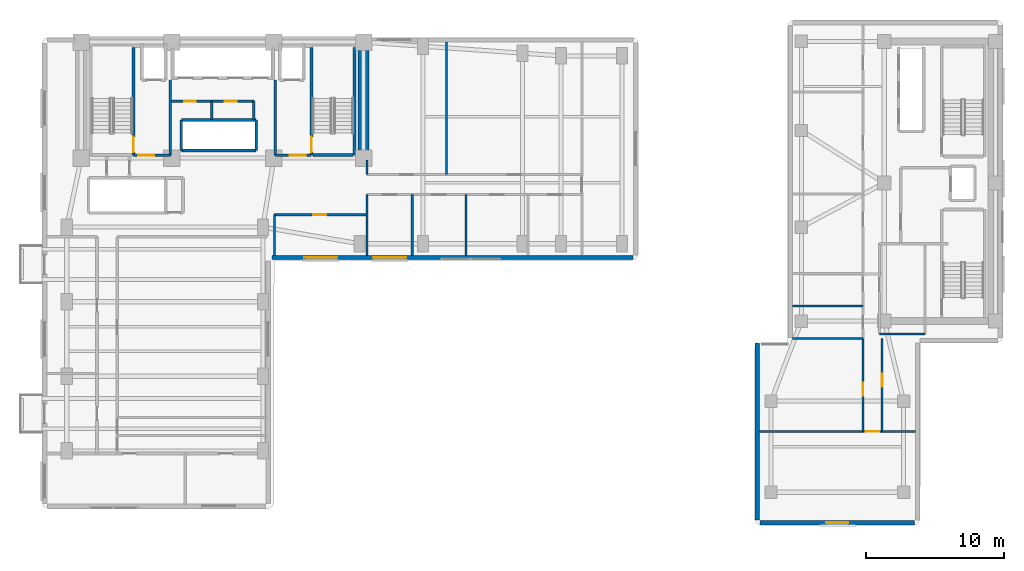
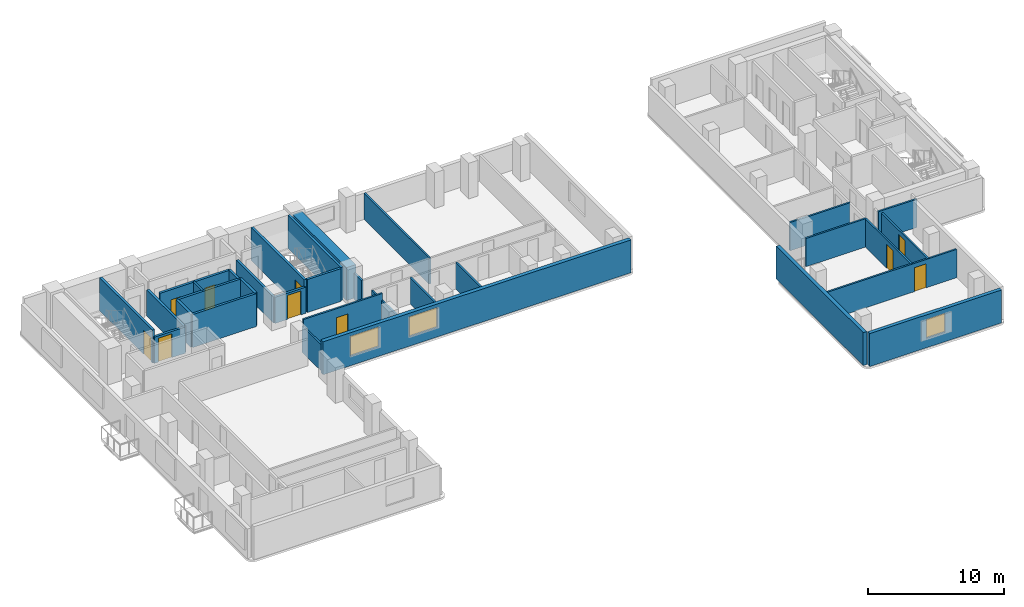
# One storey, part 9 of 15: 32 walls, 10 doors, 3 windows, 13 openings.
"""IFC4 building model written with IfcOpenShell, lengths in metres."""

from ifc_helpers import new_model, si_unit, direction, frame, frame_2d, origin, place, context, subcontext, project, spatial, rectangle, extrude, material, layer, layer_set, type_object, element, fill, save


model = new_model("IFC4")

# Units and contexts
model_context = context("Model", 3, precision=1e-05, world=origin(), true_north=direction((0.0, 1.0)))
body_context = subcontext(model_context, "Body", "Model", "MODEL_VIEW")
ifc_project = project(units=[si_unit("LENGTHUNIT", "METRE"), si_unit("AREAUNIT", "SQUARE_METRE"), si_unit("VOLUMEUNIT", "CUBIC_METRE"), si_unit("PLANEANGLEUNIT", "RADIAN"), si_unit("MASSUNIT", "GRAM", prefix="KILO")], contexts=[model_context])

# Site, building, storey
site_placement = place(None, origin())
site = spatial("IfcSite", under=ifc_project, at=site_placement, CompositionType="ELEMENT")
building_placement = place(site_placement, origin())
building = spatial("IfcBuilding", under=site, at=building_placement, Name="Kuzgunbayir Cultural Tower", CompositionType="ELEMENT")
storey_placement = place(building_placement, frame((0.0, 0.0, 72.39990234375)))
storey = spatial("IfcBuildingStorey", under=building, at=storey_placement, Name="L20", CompositionType="ELEMENT", Elevation=72.39990234375)

# Wall
ifc_material_1 = material(Name="Concrete C60/75", Category="concrete")
ifc_layer_1 = layer(ifc_material_1, 0.800048828125)
ifc_layer_set_1 = layer_set([ifc_layer_1], Name="Concrete C60/75")
wall_type_1 = type_object("IfcWallType", Name="WAL-CORE-800", PredefinedType="SHEAR", material=ifc_layer_set_1)
wall_1_placement = place(storey_placement, frame((26.89990234375, 33.800048828125, 0.0), z_axis=(0.0, 0.0, 1.0), x_axis=(0.0, 1.0, 0.0)))
element("IfcWall", 1, at=wall_1_placement, inside=storey, type_object=wall_type_1, Name="L20 T1 Core East Shear Wall", PredefinedType="SHEAR", context=body_context, shape_type="SweptSolid", body=[
    extrude(rectangle(XDim=7.949951171875, YDim=0.800048828125, at=frame_2d((3.97509765625, 0.0))), origin(), (0.0, 0.0, 1.0), 2.960205078125),
])

# Wall, opening, window
ifc_material_2 = material(Name="Anatolian Cream Limestone", Category="masonry")
ifc_layer_2 = layer(ifc_material_2, 0.300048828125)
ifc_layer_set_2 = layer_set([ifc_layer_2], Name="Anatolian Cream Limestone")
wall_type_2 = type_object("IfcWallType", Name="WAL-EXT-STONE-300", PredefinedType="STANDARD", material=ifc_layer_set_2)
wall_2_placement = place(storey_placement, frame((55.60009765625, 7.39990234375, 0.0), z_axis=(0.0, 0.0, 1.0), x_axis=(1.0, 0.0, 0.0)))
wall_2 = element("IfcWall", 2, at=wall_2_placement, inside=storey, type_object=wall_type_2, Name="L20 Companion Wing B South Wall", PredefinedType="STANDARD", context=body_context, shape_type="SweptSolid", body=[
    extrude(rectangle(XDim=11.199951171875, YDim=0.300048828125, at=frame_2d((5.60009765625, 0.0))), origin(), (0.0, 0.0, 1.0), 2.960205078125),
])
opening_1_placement = place(wall_2_placement, frame((4.800048828125, 0.0, 0.85009765625)))
opening_1 = element("IfcOpeningElement", 3, at=opening_1_placement, cuts=wall_2, Name="Opening WC-16", PredefinedType="OPENING", context=body_context, shape_type="SweptSolid", body=[
    extrude(rectangle(XDim=1.60009765625, YDim=1.699951171875, at=frame_2d((0.800048828125, 0.85009765625))), frame((0.0, 0.16015625, 0.0), z_axis=(0.0, -1.0, 0.0), x_axis=(1.0, 0.0, 0.0)), (0.0, 0.0, 1.0), 0.320068359375),
])
ifc_material_3 = material(Name="Solar-Control Triple Glazing", Category="glass")
window_type_1 = type_object("IfcWindowType", Name="WIN-COMP-16", PartitioningType="SINGLE_PANEL", PredefinedType="WINDOW", material=ifc_material_3)
window_1_placement = place(opening_1_placement, origin())
window_1 = element("IfcWindow", 4, at=window_1_placement, inside=storey, type_object=window_type_1, Name="L20 Companion South Window", OverallHeight=1.699951171875, OverallWidth=1.60009765625, PartitioningType="SINGLE_PANEL", PredefinedType="WINDOW", context=body_context, shape_type="SweptSolid", body=[
    extrude(rectangle(XDim=1.60009765625, YDim=1.699951171875, at=frame_2d((0.800048828125, 0.85009765625))), frame((0.0, 0.030029296875, 0.0), z_axis=(0.0, -1.0, 0.0), x_axis=(1.0, 0.0, 0.0)), (0.0, 0.0, 1.0), 0.06005859375),
])
fill(opening_1, window_1)

# Wall
wall_3_placement = place(storey_placement, frame((55.39990234375, 20.39990234375, 0.0), z_axis=(0.0, 0.0, 1.0), x_axis=(0.0, -1.0, 0.0)))
element("IfcWall", 5, at=wall_3_placement, inside=storey, type_object=wall_type_2, Name="L20 Companion Wing B West Wall", PredefinedType="STANDARD", context=body_context, shape_type="SweptSolid", body=[
    extrude(rectangle(XDim=12.7998046875, YDim=0.300048828125, at=frame_2d((6.39990234375, 0.0))), origin(), (0.0, 0.0, 1.0), 2.960205078125),
])

# Wall, openings, windows
ifc_material_4 = material(Name="Travertine Buff Ashlar", Category="masonry")
ifc_layer_3 = layer(ifc_material_4, 0.320068359375)
ifc_layer_set_3 = layer_set([ifc_layer_3], Name="Travertine Buff Ashlar")
wall_type_3 = type_object("IfcWallType", Name="WAL-EXT-STONE-320", PredefinedType="STANDARD", material=ifc_layer_set_3)
wall_4_placement = place(storey_placement, frame((20.25, 26.60009765625, 0.0), z_axis=(0.0, 0.0, 1.0), x_axis=(1.0, 0.0, 0.0)))
wall_4 = element("IfcWall", 6, at=wall_4_placement, inside=storey, type_object=wall_type_3, Name="L20 Wing B South Limestone Wall", PredefinedType="STANDARD", context=body_context, shape_type="SweptSolid", body=[
    extrude(rectangle(XDim=26.14990234375, YDim=0.320068359375, at=frame_2d((13.074951171875, 0.0))), origin(), (0.0, 0.0, 1.0), 2.960205078125),
])
opening_2_placement = place(wall_4_placement, frame((2.35009765625, 0.0, 0.85009765625)))
opening_2 = element("IfcOpeningElement", 7, at=opening_2_placement, cuts=wall_4, Name="Opening WO-24", PredefinedType="OPENING", context=body_context, shape_type="SweptSolid", body=[
    extrude(rectangle(XDim=2.39990234375, YDim=1.800048828125, at=frame_2d((1.199951171875, 0.89990234375))), frame((0.0, 0.169921875, 0.0), z_axis=(0.0, -1.0, 0.0), x_axis=(1.0, 0.0, 0.0)), (0.0, 0.0, 1.0), 0.340087890625),
])
opening_3_placement = place(wall_4_placement, frame((7.330078125, 0.0, 0.85009765625)))
opening_3 = element("IfcOpeningElement", 8, at=opening_3_placement, cuts=wall_4, Name="Opening WO-24", PredefinedType="OPENING", context=body_context, shape_type="SweptSolid", body=[
    extrude(rectangle(XDim=2.39990234375, YDim=1.800048828125, at=frame_2d((1.199951171875, 0.89990234375))), frame((0.0, 0.169921875, 0.0), z_axis=(0.0, -1.0, 0.0), x_axis=(1.0, 0.0, 0.0)), (0.0, 0.0, 1.0), 0.340087890625),
])
window_type_2 = type_object("IfcWindowType", Name="WIN-OFFICE-24", PartitioningType="SINGLE_PANEL", PredefinedType="WINDOW", material=ifc_material_3)
window_2_placement = place(opening_2_placement, origin())
window_2 = element("IfcWindow", 9, at=window_2_placement, inside=storey, type_object=window_type_2, Name="L20 WBS Facade Window 1", OverallHeight=1.800048828125, OverallWidth=2.39990234375, PartitioningType="SINGLE_PANEL", PredefinedType="WINDOW", context=body_context, shape_type="SweptSolid", body=[
    extrude(rectangle(XDim=2.39990234375, YDim=1.800048828125, at=frame_2d((1.199951171875, 0.89990234375))), frame((0.0, 0.030029296875, 0.0), z_axis=(0.0, -1.0, 0.0), x_axis=(1.0, 0.0, 0.0)), (0.0, 0.0, 1.0), 0.06005859375),
])
fill(opening_2, window_2)
window_3_placement = place(opening_3_placement, origin())
window_3 = element("IfcWindow", 10, at=window_3_placement, inside=storey, type_object=window_type_2, Name="L20 WBS Facade Window 3", OverallHeight=1.800048828125, OverallWidth=2.39990234375, PartitioningType="SINGLE_PANEL", PredefinedType="WINDOW", context=body_context, shape_type="SweptSolid", body=[
    extrude(rectangle(XDim=2.39990234375, YDim=1.800048828125, at=frame_2d((1.199951171875, 0.89990234375))), frame((0.0, 0.030029296875, 0.0), z_axis=(0.0, -1.0, 0.0), x_axis=(1.0, 0.0, 0.0)), (0.0, 0.0, 1.0), 0.06005859375),
])
fill(opening_3, window_3)

# Wall
ifc_material_5 = material(Name="Acoustic Double-Stud Drywall", Category="gypsum")
ifc_layer_4 = layer(ifc_material_5, 0.14990234375)
ifc_layer_set_4 = layer_set([ifc_layer_4], Name="Acoustic Double-Stud Drywall")
wall_type_4 = type_object("IfcWallType", Name="WAL-PART-ACOUSTIC-150", PredefinedType="PARTITIONING", material=ifc_layer_set_4)
wall_5_placement = place(storey_placement, frame((15.89990234375, 36.60009765625, 0.0), z_axis=(0.0, 0.0, 1.0), x_axis=(0.0, 1.0, 0.0)))
element("IfcWall", 11, at=wall_5_placement, inside=storey, type_object=wall_type_4, Name="L20 Core Closets Divider", PredefinedType="PARTITIONING", context=body_context, shape_type="SweptSolid", body=[
    extrude(rectangle(XDim=1.31982421875, YDim=0.14990234375, at=frame_2d((0.659912109375, 0.0))), origin(), (0.0, 0.0, 1.0), 2.960205078125),
])

# Wall, opening, door
wall_6_placement = place(storey_placement, frame((20.449951171875, 29.699951171875, 0.0), z_axis=(0.0, 0.0, 1.0), x_axis=(1.0, 0.0, 0.0)))
wall_6 = element("IfcWall", 12, at=wall_6_placement, inside=storey, type_object=wall_type_4, Name="L20 Waist Alcove North Wall", PredefinedType="PARTITIONING", context=body_context, shape_type="SweptSolid", body=[
    extrude(rectangle(XDim=6.699951171875, YDim=0.14990234375, at=frame_2d((3.35009765625, 0.0))), origin(), (0.0, 0.0, 1.0), 2.960205078125),
])
opening_4_placement = place(wall_6_placement, frame((2.800048828125, 0.0, 0.0)))
opening_4 = element("IfcOpeningElement", 13, at=opening_4_placement, cuts=wall_6, Name="Opening DI-90", PredefinedType="OPENING", context=body_context, shape_type="SweptSolid", body=[
    extrude(rectangle(XDim=0.949951171875, YDim=2.14990234375, at=frame_2d((0.47509765625, 1.074951171875))), frame((0.0, 0.0849609375, 0.0), z_axis=(0.0, -1.0, 0.0), x_axis=(1.0, 0.0, 0.0)), (0.0, 0.0, 1.0), 0.169921875),
])
ifc_material_6 = material(Name="Veneered Oak Single Leaf", Category="wood")
door_type_1 = type_object("IfcDoorType", Name="DR-INT-90", OperationType="NOTDEFINED", PredefinedType="DOOR", material=ifc_material_6)
door_1_placement = place(opening_4_placement, origin())
door_1 = element("IfcDoor", 14, at=door_1_placement, inside=storey, type_object=door_type_1, Name="L20 Waist Alcove Door", OperationType="SINGLE_SWING_LEFT", OverallHeight=2.14990234375, OverallWidth=0.949951171875, PredefinedType="DOOR", context=body_context, shape_type="SweptSolid", body=[
    extrude(rectangle(XDim=0.949951171875, YDim=2.14990234375, at=frame_2d((0.47509765625, 1.074951171875))), frame((0.0, 0.02490234375, 0.0), z_axis=(0.0, -1.0, 0.0), x_axis=(1.0, 0.0, 0.0)), (0.0, 0.0, 1.0), 0.050048828125),
])
fill(opening_4, door_1)

# Walls
wall_7_placement = place(storey_placement, frame((20.449951171875, 26.75, 0.0), z_axis=(0.0, 0.0, 1.0), x_axis=(0.0, 1.0, 0.0)))
element("IfcWall", 15, at=wall_7_placement, inside=storey, type_object=wall_type_4, Name="L20 Waist Alcove West Wall", PredefinedType="PARTITIONING", context=body_context, shape_type="SweptSolid", body=[
    extrude(rectangle(XDim=2.949951171875, YDim=0.14990234375, at=frame_2d((1.47509765625, 0.0))), origin(), (0.0, 0.0, 1.0), 2.35009765625),
])
wall_8_placement = place(storey_placement, frame((27.14990234375, 26.75, 0.0), z_axis=(0.0, 0.0, 1.0), x_axis=(0.0, 1.0, 0.0)))
element("IfcWall", 16, at=wall_8_placement, inside=storey, type_object=wall_type_4, Name="L20 Waist Alcove East Wall", PredefinedType="PARTITIONING", context=body_context, shape_type="SweptSolid", body=[
    extrude(rectangle(XDim=4.39990234375, YDim=0.14990234375, at=frame_2d((2.199951171875, 0.0))), origin(), (0.0, 0.0, 1.0), 2.35009765625),
])
wall_9_placement = place(storey_placement, frame((27.14990234375, 32.60009765625, 0.0), z_axis=(0.0, 0.0, 1.0), x_axis=(0.0, 1.0, 0.0)))
element("IfcWall", 17, at=wall_9_placement, inside=storey, type_object=wall_type_4, Name="L20 Wing B North Core Closure Wall", PredefinedType="PARTITIONING", context=body_context, shape_type="SweptSolid", body=[
    extrude(rectangle(XDim=1.079833984375, YDim=0.14990234375, at=frame_2d((0.5400390625, 0.0))), origin(), (0.0, 0.0, 1.0), 2.35009765625),
])
for number, where, z_axis, x_axis, name in (
    (18, (30.419921875, 26.75, 0.0), (0.0, 0.0, 1.0), (0.0, 1.0, 0.0), "L20 Wing B South Partition 1"),
    (19, (34.300048828125, 26.75, 0.0), (0.0, 0.0, 1.0), (0.0, 1.0, 0.0), "L20 Wing B South Partition 2"),
):
    element("IfcWall", number, at=place(storey_placement, frame(where, z_axis=z_axis, x_axis=x_axis)), inside=storey, type_object=wall_type_4, Name=name, PredefinedType="PARTITIONING", context=body_context, shape_type="SweptSolid", body=[
        extrude(rectangle(XDim=4.39990234375, YDim=0.14990234375, at=frame_2d((2.199951171875, 0.0))), origin(), (0.0, 0.0, 1.0), 2.35009765625),
    ])
wall_10_placement = place(storey_placement, frame((32.89990234375, 32.60009765625, 0.0), z_axis=(0.0, 0.0, 1.0), x_axis=(0.0, 1.0, 0.0)))
element("IfcWall", 20, at=wall_10_placement, inside=storey, type_object=wall_type_4, Name="L20 Wing B North Partition 1", PredefinedType="PARTITIONING", context=body_context, shape_type="SweptSolid", body=[
    extrude(rectangle(XDim=9.599853515625, YDim=0.14990234375, at=frame_2d((4.7998046875, 0.0))), origin(), (0.0, 0.0, 1.0), 2.35009765625),
])
wall_11_placement = place(storey_placement, frame((64.25, 21.050048828125, 0.0), z_axis=(0.0, 0.0, 1.0), x_axis=(1.0, 0.0, 0.0)))
element("IfcWall", 21, at=wall_11_placement, inside=storey, type_object=wall_type_4, Name="L20 Companion Archive South Wall", PredefinedType="PARTITIONING", context=body_context, shape_type="SweptSolid", body=[
    extrude(rectangle(XDim=3.300048828125, YDim=0.14990234375, at=frame_2d((1.64990234375, 0.0))), origin(), (0.0, 0.0, 1.0), 2.5400390625),
])

# Wall, opening, door
wall_12_placement = place(storey_placement, frame((63.050048828125, 14.0, 0.0), z_axis=(0.0, 0.0, 1.0), x_axis=(0.0, 1.0, 0.0)))
wall_12 = element("IfcWall", 22, at=wall_12_placement, inside=storey, type_object=wall_type_4, Name="L20 Companion South Corridor West Wall", PredefinedType="PARTITIONING", context=body_context, shape_type="SweptSolid", body=[
    extrude(rectangle(XDim=6.75, YDim=0.14990234375, at=frame_2d((3.375, 0.0))), origin(), (0.0, 0.0, 1.0), 2.5400390625),
])
opening_5_placement = place(wall_12_placement, frame((2.60009765625, 0.0, 0.0)))
opening_5 = element("IfcOpeningElement", 23, at=opening_5_placement, cuts=wall_12, Name="Opening DI-90", PredefinedType="OPENING", context=body_context, shape_type="SweptSolid", body=[
    extrude(rectangle(XDim=0.949951171875, YDim=2.14990234375, at=frame_2d((0.47509765625, 1.074951171875))), frame((0.0, 0.0849609375, 0.0), z_axis=(0.0, -1.0, 0.0), x_axis=(1.0, 0.0, 0.0)), (0.0, 0.0, 1.0), 0.169921875),
])
door_2_placement = place(opening_5_placement, origin())
door_2 = element("IfcDoor", 24, at=door_2_placement, inside=storey, type_object=door_type_1, Name="L20 Companion West Atelier Door", OperationType="SINGLE_SWING_RIGHT", OverallHeight=2.14990234375, OverallWidth=0.949951171875, PredefinedType="DOOR", context=body_context, shape_type="SweptSolid", body=[
    extrude(rectangle(XDim=0.949951171875, YDim=2.14990234375, at=frame_2d((0.47509765625, 1.074951171875))), frame((0.0, 0.02490234375, 0.0), z_axis=(0.0, -1.0, 0.0), x_axis=(1.0, 0.0, 0.0)), (0.0, 0.0, 1.0), 0.050048828125),
])
fill(opening_5, door_2)

wall_13_placement = place(storey_placement, frame((55.550048828125, 14.0, 0.0), z_axis=(0.0, 0.0, 1.0), x_axis=(1.0, 0.0, 0.0)))
wall_13 = element("IfcWall", 25, at=wall_13_placement, inside=storey, type_object=wall_type_4, Name="L20 Companion South Gallery Wall", PredefinedType="PARTITIONING", context=body_context, shape_type="SweptSolid", body=[
    extrude(rectangle(XDim=11.300048828125, YDim=0.14990234375, at=frame_2d((5.64990234375, 0.0))), origin(), (0.0, 0.0, 1.0), 2.5400390625),
])
opening_6_placement = place(wall_13_placement, frame((7.699951171875, 0.0, 0.0)))
opening_6 = element("IfcOpeningElement", 26, at=opening_6_placement, cuts=wall_13, Name="Opening DI-100", PredefinedType="OPENING", context=body_context, shape_type="SweptSolid", body=[
    extrude(rectangle(XDim=1.0, YDim=2.14990234375, at=frame_2d((0.5, 1.074951171875))), frame((0.0, 0.0849609375, 0.0), z_axis=(0.0, -1.0, 0.0), x_axis=(1.0, 0.0, 0.0)), (0.0, 0.0, 1.0), 0.169921875),
])
door_type_2 = type_object("IfcDoorType", Name="DR-INT-100", OperationType="NOTDEFINED", PredefinedType="DOOR", material=ifc_material_6)
door_3_placement = place(opening_6_placement, origin())
door_3 = element("IfcDoor", 27, at=door_3_placement, inside=storey, type_object=door_type_2, Name="L20 Companion South Salon Door", OperationType="SINGLE_SWING_RIGHT", OverallHeight=2.14990234375, OverallWidth=1.0, PredefinedType="DOOR", context=body_context, shape_type="SweptSolid", body=[
    extrude(rectangle(XDim=1.0, YDim=2.14990234375, at=frame_2d((0.5, 1.074951171875))), frame((0.0, 0.02490234375, 0.0), z_axis=(0.0, -1.0, 0.0), x_axis=(1.0, 0.0, 0.0)), (0.0, 0.0, 1.0), 0.050048828125),
])
fill(opening_6, door_3)

wall_14_placement = place(storey_placement, frame((64.449951171875, 14.0, 0.0), z_axis=(0.0, 0.0, 1.0), x_axis=(0.0, 1.0, 0.0)))
wall_14 = element("IfcWall", 28, at=wall_14_placement, inside=storey, type_object=wall_type_4, Name="L20 Companion South Corridor East Wall", PredefinedType="PARTITIONING", context=body_context, shape_type="SweptSolid", body=[
    extrude(rectangle(XDim=6.75, YDim=0.14990234375, at=frame_2d((3.375, 0.0))), origin(), (0.0, 0.0, 1.0), 2.5400390625),
])
opening_7_placement = place(wall_14_placement, frame((3.239990234375, 0.0, 0.0)))
opening_7 = element("IfcOpeningElement", 29, at=opening_7_placement, cuts=wall_14, Name="Opening DI-90", PredefinedType="OPENING", context=body_context, shape_type="SweptSolid", body=[
    extrude(rectangle(XDim=0.949951171875, YDim=2.14990234375, at=frame_2d((0.47509765625, 1.074951171875))), frame((0.0, 0.0849609375, 0.0), z_axis=(0.0, -1.0, 0.0), x_axis=(1.0, 0.0, 0.0)), (0.0, 0.0, 1.0), 0.169921875),
])
door_4_placement = place(opening_7_placement, origin())
door_4 = element("IfcDoor", 30, at=door_4_placement, inside=storey, type_object=door_type_1, Name="L20 Companion East Studio Door", OperationType="SINGLE_SWING_LEFT", OverallHeight=2.14990234375, OverallWidth=0.949951171875, PredefinedType="DOOR", context=body_context, shape_type="SweptSolid", body=[
    extrude(rectangle(XDim=0.949951171875, YDim=2.14990234375, at=frame_2d((0.47509765625, 1.074951171875))), frame((0.0, 0.02490234375, 0.0), z_axis=(0.0, -1.0, 0.0), x_axis=(1.0, 0.0, 0.0)), (0.0, 0.0, 1.0), 0.050048828125),
])
fill(opening_7, door_4)

# Wall
ifc_material_7 = material(Name="Aerated Concrete Blockwork", Category="masonry")
ifc_layer_5 = layer(ifc_material_7, 0.199951171875)
ifc_layer_set_5 = layer_set([ifc_layer_5], Name="Aerated Concrete Blockwork")
wall_type_5 = type_object("IfcWallType", Name="WAL-PART-FIRE-200", PredefinedType="PARTITIONING", material=ifc_layer_set_5)
wall_15_placement = place(storey_placement, frame((12.89990234375, 34.0, 0.0), z_axis=(0.0, 0.0, 1.0), x_axis=(0.0, 1.0, 0.0)))
element("IfcWall", 31, at=wall_15_placement, inside=storey, type_object=wall_type_5, Name="L20 FFL-1 Lobby East Fire Wall", PredefinedType="PARTITIONING", context=body_context, shape_type="SweptSolid", body=[
    extrude(rectangle(XDim=5.449951171875, YDim=0.199951171875, at=frame_2d((2.72509765625, 0.0))), origin(), (0.0, 0.0, 1.0), 2.35009765625),
])

# Wall, opening, door
wall_16_placement = place(storey_placement, frame((10.239990234375, 34.0, 0.0), z_axis=(0.0, 0.0, 1.0), x_axis=(1.0, 0.0, 0.0)))
wall_16 = element("IfcWall", 32, at=wall_16_placement, inside=storey, type_object=wall_type_5, Name="L20 FFL-1 Lobby South Fire Wall", PredefinedType="PARTITIONING", context=body_context, shape_type="SweptSolid", body=[
    extrude(rectangle(XDim=2.659912109375, YDim=0.199951171875, at=frame_2d((1.330078125, 0.0))), origin(), (0.0, 0.0, 1.0), 2.35009765625),
])
opening_8_placement = place(wall_16_placement, frame((0.35009765625, 0.0, 0.0)))
opening_8 = element("IfcOpeningElement", 33, at=opening_8_placement, cuts=wall_16, Name="Opening DR-FFL-90", PredefinedType="OPENING", context=body_context, shape_type="SweptSolid", body=[
    extrude(rectangle(XDim=1.14990234375, YDim=2.14990234375, at=frame_2d((0.574951171875, 1.074951171875))), frame((0.0, 0.10986328125, 0.0), z_axis=(0.0, -1.0, 0.0), x_axis=(1.0, 0.0, 0.0)), (0.0, 0.0, 1.0), 0.219970703125),
])
ifc_material_8 = material(Name="Steel S355J2", Category="steel")
door_type_3 = type_object("IfcDoorType", Name="DR-FFL-90", OperationType="NOTDEFINED", PredefinedType="DOOR", material=ifc_material_8)
door_5_placement = place(opening_8_placement, origin())
door_5 = element("IfcDoor", 34, at=door_5_placement, inside=storey, type_object=door_type_3, Name="L20 Firefighting Lobby 1 Door", OperationType="SINGLE_SWING_LEFT", OverallHeight=2.14990234375, OverallWidth=1.14990234375, PredefinedType="DOOR", context=body_context, shape_type="SweptSolid", body=[
    extrude(rectangle(XDim=1.14990234375, YDim=2.14990234375, at=frame_2d((0.574951171875, 1.074951171875))), frame((0.0, 0.02490234375, 0.0), z_axis=(0.0, -1.0, 0.0), x_axis=(1.0, 0.0, 0.0)), (0.0, 0.0, 1.0), 0.050048828125),
])
fill(opening_8, door_5)

# Wall
wall_17_placement = place(storey_placement, frame((20.5, 34.0, 0.0), z_axis=(0.0, 0.0, 1.0), x_axis=(0.0, 1.0, 0.0)))
element("IfcWall", 35, at=wall_17_placement, inside=storey, type_object=wall_type_5, Name="L20 FFL-2 Lobby West Fire Wall", PredefinedType="PARTITIONING", context=body_context, shape_type="SweptSolid", body=[
    extrude(rectangle(XDim=5.449951171875, YDim=0.199951171875, at=frame_2d((2.72509765625, 0.0))), origin(), (0.0, 0.0, 1.0), 2.35009765625),
])

# Wall, opening, door
wall_18_placement = place(storey_placement, frame((20.5, 34.0, 0.0), z_axis=(0.0, 0.0, 1.0), x_axis=(1.0, 0.0, 0.0)))
wall_18 = element("IfcWall", 36, at=wall_18_placement, inside=storey, type_object=wall_type_5, Name="L20 FFL-2 Lobby South Fire Wall", PredefinedType="PARTITIONING", context=body_context, shape_type="SweptSolid", body=[
    extrude(rectangle(XDim=2.60009765625, YDim=0.199951171875, at=frame_2d((1.300048828125, 0.0))), origin(), (0.0, 0.0, 1.0), 2.35009765625),
])
opening_9_placement = place(wall_18_placement, frame((1.050048828125, 0.0, 0.0)))
opening_9 = element("IfcOpeningElement", 37, at=opening_9_placement, cuts=wall_18, Name="Opening DR-FFL-90", PredefinedType="OPENING", context=body_context, shape_type="SweptSolid", body=[
    extrude(rectangle(XDim=1.14990234375, YDim=2.14990234375, at=frame_2d((0.574951171875, 1.074951171875))), frame((0.0, 0.10986328125, 0.0), z_axis=(0.0, -1.0, 0.0), x_axis=(1.0, 0.0, 0.0)), (0.0, 0.0, 1.0), 0.219970703125),
])
door_6_placement = place(opening_9_placement, origin())
door_6 = element("IfcDoor", 38, at=door_6_placement, inside=storey, type_object=door_type_3, Name="L20 Firefighting Lobby 2 Door", OperationType="SINGLE_SWING_RIGHT", OverallHeight=2.14990234375, OverallWidth=1.14990234375, PredefinedType="DOOR", context=body_context, shape_type="SweptSolid", body=[
    extrude(rectangle(XDim=1.14990234375, YDim=2.14990234375, at=frame_2d((0.574951171875, 1.074951171875))), frame((0.0, 0.02490234375, 0.0), z_axis=(0.0, -1.0, 0.0), x_axis=(1.0, 0.0, 0.0)), (0.0, 0.0, 1.0), 0.050048828125),
])
fill(opening_9, door_6)

# Wall, openings, doors
wall_19_placement = place(storey_placement, frame((13.0, 37.919921875, 0.0), z_axis=(0.0, 0.0, 1.0), x_axis=(1.0, 0.0, 0.0)))
wall_19 = element("IfcWall", 39, at=wall_19_placement, inside=storey, type_object=wall_type_5, Name="L20 Core Closets North Wall", PredefinedType="PARTITIONING", context=body_context, shape_type="SweptSolid", body=[
    extrude(rectangle(XDim=5.949951171875, YDim=0.199951171875, at=frame_2d((2.97509765625, 0.0))), origin(), (0.0, 0.0, 1.0), 2.960205078125),
])
opening_10_placement = place(wall_19_placement, frame((0.89990234375, 0.0, 0.0)))
opening_10 = element("IfcOpeningElement", 40, at=opening_10_placement, cuts=wall_19, Name="Opening DR-RSR-60", PredefinedType="OPENING", context=body_context, shape_type="SweptSolid", body=[
    extrude(rectangle(XDim=0.85009765625, YDim=2.050048828125, at=frame_2d((0.425048828125, 1.02490234375))), frame((0.0, 0.10986328125, 0.0), z_axis=(0.0, -1.0, 0.0), x_axis=(1.0, 0.0, 0.0)), (0.0, 0.0, 1.0), 0.219970703125),
])
opening_11_placement = place(wall_19_placement, frame((3.85009765625, 0.0, 0.0)))
opening_11 = element("IfcOpeningElement", 41, at=opening_11_placement, cuts=wall_19, Name="Opening DR-RSR-60", PredefinedType="OPENING", context=body_context, shape_type="SweptSolid", body=[
    extrude(rectangle(XDim=0.85009765625, YDim=2.050048828125, at=frame_2d((0.425048828125, 1.02490234375))), frame((0.0, 0.10986328125, 0.0), z_axis=(0.0, -1.0, 0.0), x_axis=(1.0, 0.0, 0.0)), (0.0, 0.0, 1.0), 0.219970703125),
])
ifc_material_9 = material(Name="Steel Access Leaf", Category="steel")
door_type_4 = type_object("IfcDoorType", Name="DR-RISER-60", OperationType="NOTDEFINED", PredefinedType="DOOR", material=ifc_material_9)
door_7_placement = place(opening_10_placement, origin())
door_7 = element("IfcDoor", 42, at=door_7_placement, inside=storey, type_object=door_type_4, Name="L20 Electrical Switchgear Closet Door", OperationType="SINGLE_SWING_RIGHT", OverallHeight=2.050048828125, OverallWidth=0.85009765625, PredefinedType="DOOR", context=body_context, shape_type="SweptSolid", body=[
    extrude(rectangle(XDim=0.85009765625, YDim=2.050048828125, at=frame_2d((0.425048828125, 1.02490234375))), frame((0.0, 0.02490234375, 0.0), z_axis=(0.0, -1.0, 0.0), x_axis=(1.0, 0.0, 0.0)), (0.0, 0.0, 1.0), 0.050048828125),
])
fill(opening_10, door_7)
door_8_placement = place(opening_11_placement, origin())
door_8 = element("IfcDoor", 43, at=door_8_placement, inside=storey, type_object=door_type_4, Name="L20 Janitor Store Door", OperationType="SINGLE_SWING_LEFT", OverallHeight=2.050048828125, OverallWidth=0.85009765625, PredefinedType="DOOR", context=body_context, shape_type="SweptSolid", body=[
    extrude(rectangle(XDim=0.85009765625, YDim=2.050048828125, at=frame_2d((0.425048828125, 1.02490234375))), frame((0.0, 0.02490234375, 0.0), z_axis=(0.0, -1.0, 0.0), x_axis=(1.0, 0.0, 0.0)), (0.0, 0.0, 1.0), 0.050048828125),
])
fill(opening_11, door_8)

# Walls
wall_20_placement = place(storey_placement, frame((18.949951171875, 36.60009765625, 0.0), z_axis=(0.0, 0.0, 1.0), x_axis=(0.0, 1.0, 0.0)))
element("IfcWall", 44, at=wall_20_placement, inside=storey, type_object=wall_type_5, Name="L20 Core Closets East Wall", PredefinedType="PARTITIONING", context=body_context, shape_type="SweptSolid", body=[
    extrude(rectangle(XDim=1.31982421875, YDim=0.199951171875, at=frame_2d((0.659912109375, 0.0))), origin(), (0.0, 0.0, 1.0), 2.960205078125),
])
ifc_material_10 = material(Name="Moisture-Resistant Tile Partition", Category="gypsum")
ifc_layer_6 = layer(ifc_material_10, 0.14990234375)
ifc_layer_set_6 = layer_set([ifc_layer_6], Name="Moisture-Resistant Tile Partition")
wall_type_6 = type_object("IfcWallType", Name="WAL-PART-WET-150", PredefinedType="PARTITIONING", material=ifc_layer_set_6)
for number, where, z_axis, x_axis, name in (
    (45, (57.949951171875, 20.75, 0.0), (0.0, 0.0, 1.0), (1.0, 0.0, 0.0), "L20 Companion WC South Wall"),
    (46, (57.949951171875, 23.10009765625, 0.0), (0.0, 0.0, 1.0), (1.0, 0.0, 0.0), "L20 Companion WC North Wall"),
):
    element("IfcWall", number, at=place(storey_placement, frame(where, z_axis=z_axis, x_axis=x_axis)), inside=storey, type_object=wall_type_6, Name=name, PredefinedType="PARTITIONING", context=body_context, shape_type="SweptSolid", body=[
        extrude(rectangle(XDim=5.10009765625, YDim=0.14990234375, at=frame_2d((2.550048828125, 0.0))), origin(), (0.0, 0.0, 1.0), 2.5400390625),
    ])
ifc_material_11 = material(Name="Concrete C40/50", Category="concrete")
ifc_layer_7 = layer(ifc_material_11, 0.199951171875)
ifc_layer_set_7 = layer_set([ifc_layer_7], Name="Concrete C40/50")
wall_type_7 = type_object("IfcWallType", Name="WAL-SHAFT-200", PredefinedType="MOVABLE", material=ifc_layer_set_7)
for number, where, z_axis, x_axis, name in (
    (47, (13.699951171875, 34.35009765625, 0.0), (0.0, 0.0, 1.0), (1.0, 0.0, 0.0), "L20 Mid-Rise Lift Front Wall"),
    (48, (13.699951171875, 36.550048828125, 0.0), (0.0, 0.0, 1.0), (1.0, 0.0, 0.0), "L20 Mid-Rise Lift Shaft North Wall"),
):
    element("IfcWall", number, at=place(storey_placement, frame(where, z_axis=z_axis, x_axis=x_axis)), inside=storey, type_object=wall_type_7, Name=name, PredefinedType="MOVABLE", context=body_context, shape_type="SweptSolid", body=[
        extrude(rectangle(XDim=5.420166015625, YDim=0.199951171875, at=frame_2d((2.7099609375, 0.0))), origin(), (0.0, 0.0, 1.0), 2.960205078125),
    ])
for number, where, z_axis, x_axis, name in (
    (49, (13.699951171875, 34.35009765625, 0.0), (0.0, 0.0, 1.0), (0.0, 1.0, 0.0), "L20 Mid-Rise Lift Shaft West Wall"),
    (50, (19.1201171875, 34.35009765625, 0.0), (0.0, 0.0, 1.0), (0.0, 1.0, 0.0), "L20 Mid-Rise Lift Shaft East Wall"),
):
    element("IfcWall", number, at=place(storey_placement, frame(where, z_axis=z_axis, x_axis=x_axis)), inside=storey, type_object=wall_type_7, Name=name, PredefinedType="MOVABLE", context=body_context, shape_type="SweptSolid", body=[
        extrude(rectangle(XDim=2.199951171875, YDim=0.199951171875, at=frame_2d((1.10009765625, 0.0))), origin(), (0.0, 0.0, 1.0), 2.960205078125),
    ])

# Wall, opening, door
ifc_layer_8 = layer(ifc_material_11, 0.199951171875)
ifc_layer_set_8 = layer_set([ifc_layer_8], Name="Concrete C40/50")
wall_type_8 = type_object("IfcWallType", Name="WAL-STAIR-RC-200", PredefinedType="SHEAR", material=ifc_layer_set_8)
wall_21_placement = place(storey_placement, frame((10.239990234375, 34.02001953125, 0.0), z_axis=(0.0, 0.0, 1.0), x_axis=(0.0, 1.0, 0.0)))
wall_21 = element("IfcWall", 51, at=wall_21_placement, inside=storey, type_object=wall_type_8, Name="L20 Stair ST-1 East Structural Wall", PredefinedType="SHEAR", context=body_context, shape_type="SweptSolid", body=[
    extrude(rectangle(XDim=7.780029296875, YDim=0.199951171875, at=frame_2d((3.89013671875, 0.0))), origin(), (0.0, 0.0, 1.0), 2.960205078125),
])
opening_12_placement = place(wall_21_placement, frame((0.219970703125, 0.0, 0.0)))
opening_12 = element("IfcOpeningElement", 52, at=opening_12_placement, cuts=wall_21, Name="Opening DR-STAIR-90", PredefinedType="OPENING", context=body_context, shape_type="SweptSolid", body=[
    extrude(rectangle(XDim=1.10009765625, YDim=2.14990234375, at=frame_2d((0.550048828125, 1.074951171875))), frame((0.0, 0.10986328125, 0.0), z_axis=(0.0, -1.0, 0.0), x_axis=(1.0, 0.0, 0.0)), (0.0, 0.0, 1.0), 0.219970703125),
])
door_type_5 = type_object("IfcDoorType", Name="DR-STAIR-90", OperationType="NOTDEFINED", PredefinedType="DOOR", material=ifc_material_8)
door_9_placement = place(opening_12_placement, origin())
door_9 = element("IfcDoor", 53, at=door_9_placement, inside=storey, type_object=door_type_5, Name="L20 Stair ST-1 Fire Door", OperationType="SINGLE_SWING_RIGHT", OverallHeight=2.14990234375, OverallWidth=1.10009765625, PredefinedType="DOOR", context=body_context, shape_type="SweptSolid", body=[
    extrude(rectangle(XDim=1.10009765625, YDim=2.14990234375, at=frame_2d((0.550048828125, 1.074951171875))), frame((0.0, 0.02490234375, 0.0), z_axis=(0.0, -1.0, 0.0), x_axis=(1.0, 0.0, 0.0)), (0.0, 0.0, 1.0), 0.050048828125),
])
fill(opening_12, door_9)

wall_22_placement = place(storey_placement, frame((23.1201171875, 34.02001953125, 0.0), z_axis=(0.0, 0.0, 1.0), x_axis=(0.0, 1.0, 0.0)))
wall_22 = element("IfcWall", 54, at=wall_22_placement, inside=storey, type_object=wall_type_8, Name="L20 Stair ST-2 West Structural Wall", PredefinedType="SHEAR", context=body_context, shape_type="SweptSolid", body=[
    extrude(rectangle(XDim=7.780029296875, YDim=0.199951171875, at=frame_2d((3.89013671875, 0.0))), origin(), (0.0, 0.0, 1.0), 2.960205078125),
])
opening_13_placement = place(wall_22_placement, frame((0.219970703125, 0.0, 0.0)))
opening_13 = element("IfcOpeningElement", 55, at=opening_13_placement, cuts=wall_22, Name="Opening DR-STAIR-90", PredefinedType="OPENING", context=body_context, shape_type="SweptSolid", body=[
    extrude(rectangle(XDim=1.10009765625, YDim=2.14990234375, at=frame_2d((0.550048828125, 1.074951171875))), frame((0.0, 0.10986328125, 0.0), z_axis=(0.0, -1.0, 0.0), x_axis=(1.0, 0.0, 0.0)), (0.0, 0.0, 1.0), 0.219970703125),
])
door_10_placement = place(opening_13_placement, origin())
door_10 = element("IfcDoor", 56, at=door_10_placement, inside=storey, type_object=door_type_5, Name="L20 Stair ST-2 Fire Door", OperationType="SINGLE_SWING_RIGHT", OverallHeight=2.14990234375, OverallWidth=1.10009765625, PredefinedType="DOOR", context=body_context, shape_type="SweptSolid", body=[
    extrude(rectangle(XDim=1.10009765625, YDim=2.14990234375, at=frame_2d((0.550048828125, 1.074951171875))), frame((0.0, 0.02490234375, 0.0), z_axis=(0.0, -1.0, 0.0), x_axis=(1.0, 0.0, 0.0)), (0.0, 0.0, 1.0), 0.050048828125),
])
fill(opening_13, door_10)

# Walls
wall_23_placement = place(storey_placement, frame((26.239990234375, 34.02001953125, 0.0), z_axis=(0.0, 0.0, 1.0), x_axis=(0.0, 1.0, 0.0)))
element("IfcWall", 57, at=wall_23_placement, inside=storey, type_object=wall_type_8, Name="L20 Stair ST-2 East Structural Wall", PredefinedType="SHEAR", context=body_context, shape_type="SweptSolid", body=[
    extrude(rectangle(XDim=7.780029296875, YDim=0.199951171875, at=frame_2d((3.89013671875, 0.0))), origin(), (0.0, 0.0, 1.0), 2.960205078125),
])
wall_24_placement = place(storey_placement, frame((23.239990234375, 34.02001953125, 0.0), z_axis=(0.0, 0.0, 1.0), x_axis=(1.0, 0.0, 0.0)))
element("IfcWall", 58, at=wall_24_placement, inside=storey, type_object=wall_type_8, Name="L20 Stair ST-2 South Structural Wall", PredefinedType="SHEAR", context=body_context, shape_type="SweptSolid", body=[
    extrude(rectangle(XDim=2.880126953125, YDim=0.199951171875, at=frame_2d((1.43994140625, 0.0))), origin(), (0.0, 0.0, 1.0), 2.960205078125),
])

save(model, "model.ifc")
